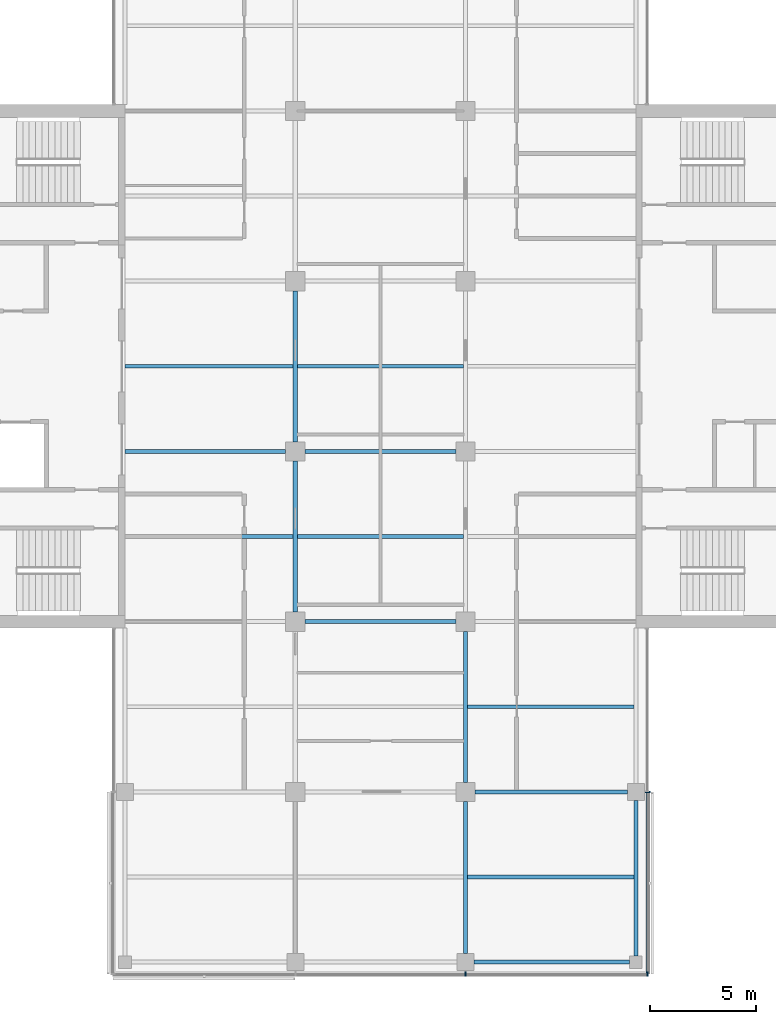
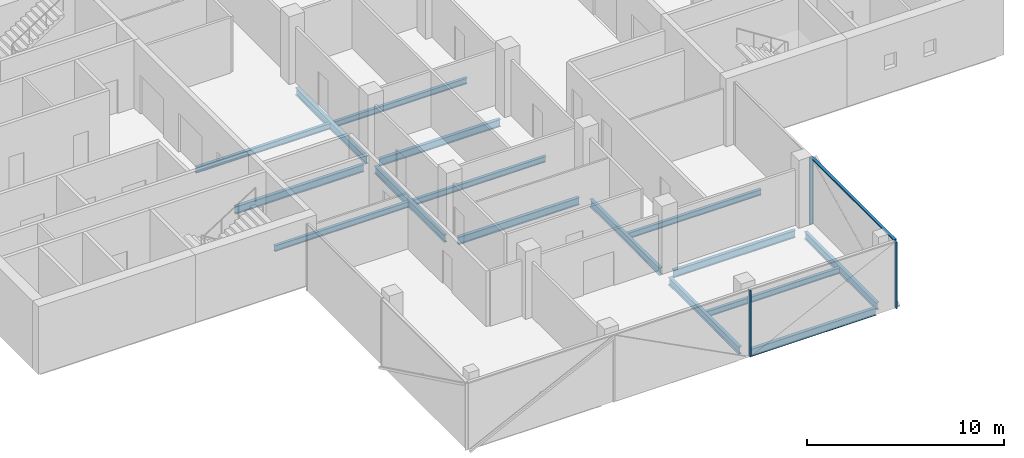
# One storey, part 3 of 16: 16 beams, 4 members, 2 elements without a shape of their own.
"""IFC4 building model written with IfcOpenShell, lengths in metres."""

from ifc_helpers import new_model, si_unit, direction, frame, origin, origin_2d, place, context, subcontext, project, spatial, rectangle, i_section, extrude, material, material_profile, profile_set, type_object, element, aggregate, save


model = new_model("IFC4")

# Units and contexts
model_context = context("Model", 3, precision=1e-05, world=origin(), true_north=direction((0.0, 1.0)))
body_context = subcontext(model_context, "Body", "Model", "MODEL_VIEW")
ifc_project = project(units=[si_unit("LENGTHUNIT", "METRE"), si_unit("AREAUNIT", "SQUARE_METRE"), si_unit("VOLUMEUNIT", "CUBIC_METRE"), si_unit("PLANEANGLEUNIT", "RADIAN"), si_unit("MASSUNIT", "GRAM", prefix="KILO")], contexts=[model_context])

# Site, building, storey
site_placement = place(None, origin())
site = spatial("IfcSite", under=ifc_project, at=site_placement, CompositionType="ELEMENT")
building_placement = place(site_placement, origin())
building = spatial("IfcBuilding", under=site, at=building_placement, Name="Crosswind Convention Tower", CompositionType="ELEMENT")
storey_placement = place(building_placement, frame((0.0, 0.0, 216.699951171875)))
storey = spatial("IfcBuildingStorey", under=building, at=storey_placement, Name="L46", CompositionType="ELEMENT", Elevation=216.699951171875)

# Beams
ifc_material_1 = material(Name="Steel S355", Category="steel")
ifc_material_profile_1 = material_profile(ifc_material_1, i_section(OverallWidth=0.18994140625, OverallDepth=0.45361328125, WebThickness=0.008544921875, FlangeThickness=0.0126953125, FilletRadius=0.01025390625, at=origin_2d()), Name="UB 457x191x67")
ifc_profile_set_1 = profile_set([ifc_material_profile_1], Name="Steel S355")
beam_type_1 = type_object("IfcBeamType", Name="Edge beam UB 457x191x67", PredefinedType="SPANDREL", material=ifc_profile_set_1)
for number, where, z_axis, x_axis, name in (
    (1, (129.39990234375, 72.0, -0.52685546875), (1.0, 0.0, 0.0), (0.0, 1.0, 0.0), "B16 L46 edge beam 9"),
    (2, (137.0, 72.300048828125, -0.52685546875), (0.0, 1.0, 0.0), (-1.0, 0.0, 0.0), "B16 L46 edge beam 11"),
):
    element("IfcBeam", number, at=place(storey_placement, frame(where, z_axis=z_axis, x_axis=x_axis)), inside=storey, type_object=beam_type_1, Name=name, PredefinedType="SPANDREL", context=body_context, shape_type="SweptSolid", body=[
        extrude(i_section(OverallWidth=0.18994140625, OverallDepth=0.45361328125, WebThickness=0.008544921875, FlangeThickness=0.0126953125, FilletRadius=0.01025390625, at=origin_2d()), origin(), (0.0, 0.0, 1.0), 7.300048828125),
    ])
ifc_material_profile_2 = material_profile(ifc_material_1, i_section(OverallWidth=0.1904296875, OverallDepth=0.457275390625, WebThickness=0.009033203125, FlangeThickness=0.014404296875, FilletRadius=0.01025390625, at=origin_2d()), Name="UB 457x191x75")
ifc_profile_set_2 = profile_set([ifc_material_profile_2], Name="Steel S355")
beam_type_2 = type_object("IfcBeamType", Name="Girder UB 457x191x75", PredefinedType="BEAM", material=ifc_profile_set_2)
for number, where, z_axis, x_axis, name in (
    (3, (121.0, 88.449951171875, -0.528564453125), (0.0, 1.0, 0.0), (-1.0, 0.0, 0.0), "B2 L46 girder 5"),
    (4, (121.0, 96.449951171875, -0.528564453125), (0.0, 1.0, 0.0), (-1.0, 0.0, 0.0), "B2 L46 girder 6"),
    (5, (121.449951171875, 88.0, -0.528564453125), (1.0, 0.0, 0.0), (0.0, 1.0, 0.0), "B2 L46 girder 11"),
    (6, (121.449951171875, 96.0, -0.528564453125), (1.0, 0.0, 0.0), (0.0, 1.0, 0.0), "B2 L46 girder 12"),
):
    element("IfcBeam", number, at=place(storey_placement, frame(where, z_axis=z_axis, x_axis=x_axis)), inside=storey, type_object=beam_type_2, Name=name, PredefinedType="BEAM", context=body_context, shape_type="SweptSolid", body=[
        extrude(i_section(OverallWidth=0.1904296875, OverallDepth=0.457275390625, WebThickness=0.009033203125, FlangeThickness=0.014404296875, FilletRadius=0.01025390625, at=origin_2d()), origin(), (0.0, 0.0, 1.0), 7.10009765625),
    ])
beam_1_placement = place(storey_placement, frame((129.0, 72.39990234375, -0.528564453125), z_axis=(0.0, 1.0, 0.0), x_axis=(-1.0, 0.0, 0.0)))
element("IfcBeam", 7, at=beam_1_placement, inside=storey, type_object=beam_type_2, Name="B2 L46 girder 16", PredefinedType="BEAM", context=body_context, shape_type="SweptSolid", body=[
    extrude(i_section(OverallWidth=0.1904296875, OverallDepth=0.457275390625, WebThickness=0.009033203125, FlangeThickness=0.014404296875, FilletRadius=0.01025390625, at=origin_2d()), origin(), (0.0, 0.0, 1.0), 7.150146484375),
])
beam_2_placement = place(storey_placement, frame((129.0, 80.449951171875, -0.528564453125), z_axis=(0.0, 1.0, 0.0), x_axis=(-1.0, 0.0, 0.0)))
element("IfcBeam", 8, at=beam_2_placement, inside=storey, type_object=beam_type_2, Name="B2 L46 girder 17", PredefinedType="BEAM", context=body_context, shape_type="SweptSolid", body=[
    extrude(i_section(OverallWidth=0.1904296875, OverallDepth=0.457275390625, WebThickness=0.009033203125, FlangeThickness=0.014404296875, FilletRadius=0.01025390625, at=origin_2d()), origin(), (0.0, 0.0, 1.0), 7.10009765625),
])
beam_3_placement = place(storey_placement, frame((129.449951171875, 80.0, -0.528564453125), z_axis=(1.0, 0.0, 0.0), x_axis=(0.0, 1.0, 0.0)))
element("IfcBeam", 9, at=beam_3_placement, inside=storey, type_object=beam_type_2, Name="B2 L46 girder 23", PredefinedType="BEAM", context=body_context, shape_type="SweptSolid", body=[
    extrude(i_section(OverallWidth=0.1904296875, OverallDepth=0.457275390625, WebThickness=0.009033203125, FlangeThickness=0.014404296875, FilletRadius=0.01025390625, at=origin_2d()), origin(), (0.0, 0.0, 1.0), 7.150146484375),
])
ifc_material_profile_3 = material_profile(ifc_material_1, i_section(OverallWidth=0.19140625, OverallDepth=0.460205078125, WebThickness=0.010009765625, FlangeThickness=0.01611328125, FilletRadius=0.01025390625, at=origin_2d()), Name="UB 457x191x82")
ifc_profile_set_3 = profile_set([ifc_material_profile_3], Name="Steel S355")
beam_type_3 = type_object("IfcBeamType", Name="Girder at core wall UB 457x191x82", PredefinedType="BEAM", material=ifc_profile_set_3)
beam_4_placement = place(storey_placement, frame((113.0, 96.0, -0.530029296875), z_axis=(1.0, 0.0, 0.0), x_axis=(0.0, 1.0, 0.0)))
element("IfcBeam", 10, at=beam_4_placement, inside=storey, type_object=beam_type_3, Name="B23 L46 girder at core wall 2", PredefinedType="BEAM", context=body_context, shape_type="SweptSolid", body=[
    extrude(i_section(OverallWidth=0.19140625, OverallDepth=0.460205078125, WebThickness=0.010009765625, FlangeThickness=0.01611328125, FilletRadius=0.01025390625, at=origin_2d()), origin(), (0.0, 0.0, 1.0), 7.550048828125),
])

# Curtain wall, members
ifc_material_2 = material(Name="Aluminium unitised curtain wall", Category="aluminium")
curtain_wall_type = type_object("IfcCurtainWallType", Name="OFFICE UNITISED WALL 220", PredefinedType="USERDEFINED", material=ifc_material_2)
curtain_wall_1_placement = place(storey_placement, origin())
curtain_wall_1 = element("IfcCurtainWall", 11, at=curtain_wall_1_placement, inside=storey, type_object=curtain_wall_type, Name="CW3 L46 S-TIP 1", ObjectType="UNITISED", PredefinedType="USERDEFINED")
ifc_material_3 = material(Name="Aluminium mullion", Category="aluminium")
ifc_material_profile_4 = material_profile(ifc_material_3, rectangle(XDim=0.219970703125, YDim=0.070068359375, at=origin_2d()), Name="AL 220X70")
ifc_profile_set_4 = profile_set([ifc_material_profile_4], Name="Aluminium mullion")
member_type_1 = type_object("IfcMemberType", Name="MULLION 70X220", PredefinedType="MULLION", material=ifc_profile_set_4)
member_1_placement = place(storey_placement, frame((129.0, 71.43994140625, -0.300048828125), z_axis=(0.0, 0.0, 1.0), x_axis=(0.0, -1.0, 0.0)))
member_1 = element("IfcMember", 12, at=member_1_placement, type_object=member_type_1, Name="CW3 mullion 3", PredefinedType="MULLION", context=body_context, shape_type="SweptSolid", body=[
    extrude(rectangle(XDim=0.219970703125, YDim=0.070068359375, at=origin_2d()), origin(), (0.0, 0.0, 1.0), 4.130126953125),
])
member_2_placement = place(storey_placement, frame((137.56005859375, 71.43994140625, -0.300048828125), z_axis=(0.0, 0.0, 1.0), x_axis=(0.0, -1.0, 0.0)))
member_2 = element("IfcMember", 13, at=member_2_placement, type_object=member_type_1, Name="CW3 mullion 4", PredefinedType="MULLION", context=body_context, shape_type="SweptSolid", body=[
    extrude(rectangle(XDim=0.219970703125, YDim=0.070068359375, at=origin_2d()), origin(), (0.0, 0.0, 1.0), 4.130126953125),
])
aggregate(curtain_wall_1, [member_1, member_2])

# Curtain wall, member
curtain_wall_2_placement = place(storey_placement, origin())
curtain_wall_2 = element("IfcCurtainWall", 14, at=curtain_wall_2_placement, inside=storey, type_object=curtain_wall_type, Name="CW3 L46 S-E 1", ObjectType="UNITISED", PredefinedType="USERDEFINED")
member_3_placement = place(storey_placement, frame((137.56005859375, 80.0, -0.300048828125), z_axis=(0.0, 0.0, 1.0), x_axis=(1.0, 0.0, 0.0)))
member_3 = element("IfcMember", 15, at=member_3_placement, type_object=member_type_1, Name="CW3 mullion 2", PredefinedType="MULLION", context=body_context, shape_type="SweptSolid", body=[
    extrude(rectangle(XDim=0.219970703125, YDim=0.070068359375, at=origin_2d()), origin(), (0.0, 0.0, 1.0), 4.130126953125),
])

# Beams
ifc_material_profile_5 = material_profile(ifc_material_1, i_section(OverallWidth=0.172119140625, OverallDepth=0.358642578125, WebThickness=0.008056640625, FlangeThickness=0.012939453125, FilletRadius=0.01025390625, at=origin_2d()), Name="UB 356x171x57")
ifc_profile_set_5 = profile_set([ifc_material_profile_5], Name="Steel S355")
beam_type_4 = type_object("IfcBeamType", Name="Secondary beam UB 356x171x57", PredefinedType="JOIST", material=ifc_profile_set_5)
for number, where, z_axis, x_axis, name in (
    (16, (113.0, 92.0, -0.479248046875), (1.0, 0.0, 0.0), (0.0, 1.0, 0.0), "B9 L46 secondary beam 1"),
    (17, (113.0, 100.0, -0.479248046875), (1.0, 0.0, 0.0), (0.0, 1.0, 0.0), "B9 L46 secondary beam 2"),
):
    element("IfcBeam", number, at=place(storey_placement, frame(where, z_axis=z_axis, x_axis=x_axis)), inside=storey, type_object=beam_type_4, Name=name, PredefinedType="JOIST", context=body_context, shape_type="SweptSolid", body=[
        extrude(i_section(OverallWidth=0.172119140625, OverallDepth=0.358642578125, WebThickness=0.008056640625, FlangeThickness=0.012939453125, FilletRadius=0.01025390625, at=origin_2d()), origin(), (0.0, 0.0, 1.0), 7.90478515625),
    ])
for number, where, z_axis, x_axis, name in (
    (18, (121.09521484375, 92.0, -0.479248046875), (1.0, 0.0, 0.0), (0.0, 1.0, 0.0), "B9 L46 secondary beam 10"),
    (19, (121.09521484375, 100.0, -0.479248046875), (1.0, 0.0, 0.0), (0.0, 1.0, 0.0), "B9 L46 secondary beam 11"),
):
    element("IfcBeam", number, at=place(storey_placement, frame(where, z_axis=z_axis, x_axis=x_axis)), inside=storey, type_object=beam_type_4, Name=name, PredefinedType="JOIST", context=body_context, shape_type="SweptSolid", body=[
        extrude(i_section(OverallWidth=0.172119140625, OverallDepth=0.358642578125, WebThickness=0.008056640625, FlangeThickness=0.012939453125, FilletRadius=0.01025390625, at=origin_2d()), origin(), (0.0, 0.0, 1.0), 7.8095703125),
    ])
for number, where, z_axis, x_axis, name in (
    (20, (129.09521484375, 76.0, -0.479248046875), (1.0, 0.0, 0.0), (0.0, 1.0, 0.0), "B9 L46 secondary beam 15"),
    (21, (129.09521484375, 84.0, -0.479248046875), (1.0, 0.0, 0.0), (0.0, 1.0, 0.0), "B9 L46 secondary beam 16"),
):
    element("IfcBeam", number, at=place(storey_placement, frame(where, z_axis=z_axis, x_axis=x_axis)), inside=storey, type_object=beam_type_4, Name=name, PredefinedType="JOIST", context=body_context, shape_type="SweptSolid", body=[
        extrude(i_section(OverallWidth=0.172119140625, OverallDepth=0.358642578125, WebThickness=0.008056640625, FlangeThickness=0.012939453125, FilletRadius=0.01025390625, at=origin_2d()), origin(), (0.0, 0.0, 1.0), 7.809814453125),
    ])

# Member
ifc_material_4 = material(Name="Aluminium transom", Category="aluminium")
ifc_material_profile_6 = material_profile(ifc_material_4, rectangle(XDim=0.159912109375, YDim=0.070068359375, at=origin_2d()), Name="AL 160X70")
ifc_profile_set_6 = profile_set([ifc_material_profile_6], Name="Aluminium transom")
member_type_2 = type_object("IfcMemberType", Name="TRANSOM 70X160", PredefinedType="USERDEFINED", material=ifc_profile_set_6)
member_4_placement = place(storey_placement, frame((137.56005859375, 71.47509765625, 3.864990234375), z_axis=(0.0, 1.0, 0.0), x_axis=(-1.0, 0.0, 0.0)))
member_4 = element("IfcMember", 22, at=member_4_placement, type_object=member_type_2, Name="CW3 transom", ObjectType="TRANSOM", PredefinedType="USERDEFINED", context=body_context, shape_type="SweptSolid", body=[
    extrude(rectangle(XDim=0.159912109375, YDim=0.070068359375, at=origin_2d()), origin(), (0.0, 0.0, 1.0), 8.489990234375),
])

aggregate(curtain_wall_2, [member_3, member_4])

save(model, "model.ifc")
